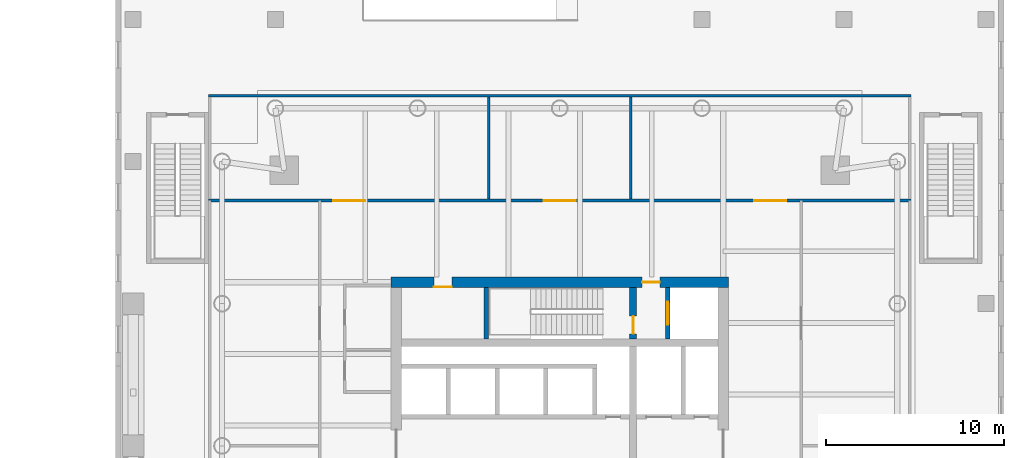
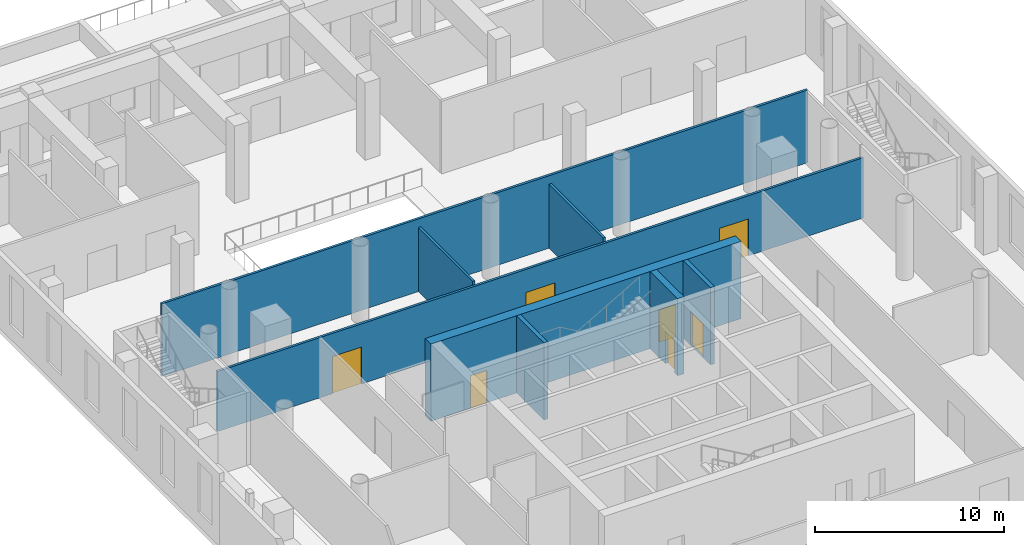
# One storey, part 17 of 26: 8 walls, 7 doors, 7 openings.
"""IFC4 building model written with IfcOpenShell, lengths in metres."""

from ifc_helpers import new_model, si_unit, direction, frame, frame_2d, origin, place, context, subcontext, project, spatial, rectangle, extrude, material, layer, layer_set, type_object, element, fill, save


model = new_model("IFC4")

# Units and contexts
model_context = context("Model", 3, precision=1e-05, world=origin(), true_north=direction((0.0, 1.0)))
body_context = subcontext(model_context, "Body", "Model", "MODEL_VIEW")
ifc_project = project(units=[si_unit("LENGTHUNIT", "METRE"), si_unit("AREAUNIT", "SQUARE_METRE"), si_unit("VOLUMEUNIT", "CUBIC_METRE"), si_unit("PLANEANGLEUNIT", "RADIAN"), si_unit("MASSUNIT", "GRAM", prefix="KILO")], contexts=[model_context])

# Site, building, storey
site_placement = place(None, origin())
site = spatial("IfcSite", under=ifc_project, at=site_placement, CompositionType="ELEMENT")
building_placement = place(site_placement, origin())
building = spatial("IfcBuilding", under=site, at=building_placement, Name="Ostroluk Exchange", CompositionType="ELEMENT")
storey_placement = place(building_placement, frame((0.0, 0.0, 6.0)))
storey = spatial("IfcBuildingStorey", under=building, at=storey_placement, Name="L01", CompositionType="ELEMENT", Elevation=6.0)

# Wall, opening, door
ifc_material_1 = material(Name="Concrete C50/60", Category="concrete")
ifc_layer_1 = layer(ifc_material_1, 0.39990234375)
ifc_layer_set_1 = layer_set([ifc_layer_1], Name="Core cross wall 400 C50/60")
wall_type_1 = type_object("IfcWallType", Name="Core cross wall 400 C50/60", PredefinedType="SHEAR", material=ifc_layer_set_1)
wall_1_placement = place(storey_placement, frame((121.1298828125, 52.0, 0.0), z_axis=(0.0, 0.0, 1.0), x_axis=(0.0, 1.0, 0.0)))
wall_1 = element("IfcWall", 1, at=wall_1_placement, inside=storey, type_object=wall_type_1, Name="T2 core wall YE3", PredefinedType="SHEAR", context=body_context, shape_type="SweptSolid", body=[
    extrude(rectangle(XDim=2.89990234375, YDim=0.39990234375, at=frame_2d((1.449951171875, 0.0))), origin(), (0.0, 0.0, 1.0), 5.0),
])
opening_1_placement = place(wall_1_placement, frame((0.300048828125, 0.0, 0.0)))
opening_1 = element("IfcOpeningElement", 2, at=opening_1_placement, cuts=wall_1, Name="Opening FD60", PredefinedType="OPENING", context=body_context, shape_type="SweptSolid", body=[
    extrude(rectangle(XDim=1.0, YDim=2.10009765625, at=frame_2d((0.5, 1.050048828125))), frame((0.0, 0.2099609375, 0.0), z_axis=(0.0, -1.0, 0.0), x_axis=(1.0, 0.0, 0.0)), (0.0, 0.0, 1.0), 0.419921875),
])
ifc_material_2 = material(Name="Steel", Category="steel")
door_type_1 = type_object("IfcDoorType", Name="Fire door EI 60 1000 x 2100", OperationType="SINGLE_SWING_LEFT", PredefinedType="DOOR", material=ifc_material_2)
door_1_placement = place(opening_1_placement, origin())
door_1 = element("IfcDoor", 3, at=door_1_placement, inside=storey, type_object=door_type_1, Name="Stair T2-S2 door", OperationType="SINGLE_SWING_LEFT", OverallHeight=2.10009765625, OverallWidth=1.0, PredefinedType="DOOR", context=body_context, shape_type="SweptSolid", body=[
    extrude(rectangle(XDim=1.0, YDim=2.10009765625, at=frame_2d((0.5, 1.050048828125))), frame((0.0, 0.02490234375, 0.0), z_axis=(0.0, -1.0, 0.0), x_axis=(1.0, 0.0, 0.0)), (0.0, 0.0, 1.0), 0.050048828125),
])
fill(opening_1, door_1)

# Wall
ifc_material_3 = material(Name="Concrete C40/50", Category="concrete")
ifc_layer_2 = layer(ifc_material_3, 0.25)
ifc_layer_set_2 = layer_set([ifc_layer_2], Name="Core shaft wall 250")
wall_type_2 = type_object("IfcWallType", Name="Core shaft wall 250", PredefinedType="SHEAR", material=ifc_layer_set_2)
wall_2_placement = place(storey_placement, frame((112.875, 52.0, 0.0), z_axis=(0.0, 0.0, 1.0), x_axis=(0.0, 1.0, 0.0)))
element("IfcWall", 4, at=wall_2_placement, inside=storey, type_object=wall_type_2, Name="Stair shaft wall", PredefinedType="SHEAR", context=body_context, shape_type="SweptSolid", body=[
    extrude(rectangle(XDim=2.89990234375, YDim=0.25, at=frame_2d((1.449951171875, 0.0))), origin(), (0.0, 0.0, 1.0), 5.0),
])

# Wall, opening, door
wall_3_placement = place(storey_placement, frame((123.074951171875, 52.0, 0.0), z_axis=(0.0, 0.0, 1.0), x_axis=(0.0, 1.0, 0.0)))
wall_3 = element("IfcWall", 5, at=wall_3_placement, inside=storey, type_object=wall_type_2, Name="Firefighting lift shaft wall", PredefinedType="SHEAR", context=body_context, shape_type="SweptSolid", body=[
    extrude(rectangle(XDim=2.89990234375, YDim=0.25, at=frame_2d((1.449951171875, 0.0))), origin(), (0.0, 0.0, 1.0), 5.0),
])
opening_2_placement = place(wall_3_placement, frame((0.800048828125, 0.0, 0.0)))
opening_2 = element("IfcOpeningElement", 6, at=opening_2_placement, cuts=wall_3, Name="Opening LD2", PredefinedType="OPENING", context=body_context, shape_type="SweptSolid", body=[
    extrude(rectangle(XDim=1.300048828125, YDim=2.199951171875, at=frame_2d((0.64990234375, 1.10009765625))), frame((0.0, 0.135009765625, 0.0), z_axis=(0.0, -1.0, 0.0), x_axis=(1.0, 0.0, 0.0)), (0.0, 0.0, 1.0), 0.27001953125),
])
ifc_material_4 = material(Name="Stainless steel", Category="steel")
door_type_2 = type_object("IfcDoorType", Name="Lift landing door E 60 1300 x 2200", OperationType="DOUBLE_DOOR_SLIDING", PredefinedType="DOOR", material=ifc_material_4)
door_2_placement = place(opening_2_placement, origin())
door_2 = element("IfcDoor", 7, at=door_2_placement, inside=storey, type_object=door_type_2, Name="Lift HF2 landing door", OperationType="DOUBLE_DOOR_SLIDING", OverallHeight=2.199951171875, OverallWidth=1.300048828125, PredefinedType="DOOR", context=body_context, shape_type="SweptSolid", body=[
    extrude(rectangle(XDim=1.300048828125, YDim=2.199951171875, at=frame_2d((0.64990234375, 1.10009765625))), frame((0.0, 0.02490234375, 0.0), z_axis=(0.0, -1.0, 0.0), x_axis=(1.0, 0.0, 0.0)), (0.0, 0.0, 1.0), 0.050048828125),
])
fill(opening_2, door_2)

# Wall, openings, doors
ifc_material_5 = material(Name="Concrete C50/60", Category="concrete")
ifc_layer_3 = layer(ifc_material_5, 0.60009765625)
ifc_layer_set_3 = layer_set([ifc_layer_3], Name="Core wall 600 C50/60")
wall_type_3 = type_object("IfcWallType", Name="Core wall 600 C50/60", PredefinedType="SHEAR", material=ifc_layer_set_3)
wall_4_placement = place(storey_placement, frame((107.5, 55.199951171875, 0.0), z_axis=(0.0, 0.0, 1.0), x_axis=(1.0, 0.0, 0.0)))
wall_4 = element("IfcWall", 8, at=wall_4_placement, inside=storey, type_object=wall_type_3, Name="T2 core wall N", PredefinedType="SHEAR", context=body_context, shape_type="SweptSolid", body=[
    extrude(rectangle(XDim=19.0, YDim=0.60009765625, at=frame_2d((9.5, 0.0))), origin(), (0.0, 0.0, 1.0), 5.0),
])
opening_3_placement = place(wall_4_placement, frame((14.139892578125, 0.0, 0.0)))
opening_3 = element("IfcOpeningElement", 9, at=opening_3_placement, cuts=wall_4, Name="Opening FD60", PredefinedType="OPENING", context=body_context, shape_type="SweptSolid", body=[
    extrude(rectangle(XDim=1.0, YDim=2.10009765625, at=frame_2d((0.5, 1.050048828125))), frame((0.0, 0.31005859375, 0.0), z_axis=(0.0, -1.0, 0.0), x_axis=(1.0, 0.0, 0.0)), (0.0, 0.0, 1.0), 0.6201171875),
])
opening_4_placement = place(wall_4_placement, frame((2.425048828125, 0.0, 0.0)))
opening_4 = element("IfcOpeningElement", 10, at=opening_4_placement, cuts=wall_4, Name="Opening FD60", PredefinedType="OPENING", context=body_context, shape_type="SweptSolid", body=[
    extrude(rectangle(XDim=1.0, YDim=2.10009765625, at=frame_2d((0.5, 1.050048828125))), frame((0.0, 0.31005859375, 0.0), z_axis=(0.0, -1.0, 0.0), x_axis=(1.0, 0.0, 0.0)), (0.0, 0.0, 1.0), 0.6201171875),
])
door_3_placement = place(opening_3_placement, origin())
door_3 = element("IfcDoor", 11, at=door_3_placement, inside=storey, type_object=door_type_1, Name="Firefighting lobby door", OperationType="SINGLE_SWING_RIGHT", OverallHeight=2.10009765625, OverallWidth=1.0, PredefinedType="DOOR", context=body_context, shape_type="SweptSolid", body=[
    extrude(rectangle(XDim=1.0, YDim=2.10009765625, at=frame_2d((0.5, 1.050048828125))), frame((0.0, 0.02490234375, 0.0), z_axis=(0.0, -1.0, 0.0), x_axis=(1.0, 0.0, 0.0)), (0.0, 0.0, 1.0), 0.050048828125),
])
fill(opening_3, door_3)
door_4_placement = place(opening_4_placement, origin())
door_4 = element("IfcDoor", 12, at=door_4_placement, inside=storey, type_object=door_type_1, Name="Electrical switch room door", OperationType="SINGLE_SWING_LEFT", OverallHeight=2.10009765625, OverallWidth=1.0, PredefinedType="DOOR", context=body_context, shape_type="SweptSolid", body=[
    extrude(rectangle(XDim=1.0, YDim=2.10009765625, at=frame_2d((0.5, 1.050048828125))), frame((0.0, -0.23974609375, 0.0), z_axis=(0.0, -1.0, 0.0), x_axis=(1.0, 0.0, 0.0)), (0.0, 0.0, 1.0), 0.050048828125),
])
fill(opening_4, door_4)

ifc_material_6 = material(Name="Gypsum plasterboard partition", Category="gypsum")
ifc_layer_4 = layer(ifc_material_6, 0.14990234375)
ifc_layer_set_4 = layer_set([ifc_layer_4], Name="Plasterboard partition 150")
wall_type_4 = type_object("IfcWallType", Name="Plasterboard partition 150", PredefinedType="PARTITIONING", material=ifc_layer_set_4)
wall_5_placement = place(storey_placement, frame((97.22509765625, 59.800048828125, 0.0), z_axis=(0.0, 0.0, 1.0), x_axis=(1.0, 0.0, 0.0)))
wall_5 = element("IfcWall", 13, at=wall_5_placement, inside=storey, type_object=wall_type_4, Name="Partition", PredefinedType="PARTITIONING", context=body_context, shape_type="SweptSolid", body=[
    extrude(rectangle(XDim=39.5498046875, YDim=0.14990234375, at=frame_2d((19.77490234375, 0.0))), origin(), (0.0, 0.0, 1.0), 3.89990234375),
])
opening_5_placement = place(wall_5_placement, frame((7.02490234375, 0.0, 0.0)))
opening_5 = element("IfcOpeningElement", 14, at=opening_5_placement, cuts=wall_5, Name="Opening D-04", PredefinedType="OPENING", context=body_context, shape_type="SweptSolid", body=[
    extrude(rectangle(XDim=1.800048828125, YDim=2.39990234375, at=frame_2d((0.89990234375, 1.199951171875))), frame((0.0, 0.0849609375, 0.0), z_axis=(0.0, -1.0, 0.0), x_axis=(1.0, 0.0, 0.0)), (0.0, 0.0, 1.0), 0.169921875),
])
opening_6_placement = place(wall_5_placement, frame((18.875, 0.0, 0.0)))
opening_6 = element("IfcOpeningElement", 15, at=opening_6_placement, cuts=wall_5, Name="Opening D-04", PredefinedType="OPENING", context=body_context, shape_type="SweptSolid", body=[
    extrude(rectangle(XDim=1.800048828125, YDim=2.39990234375, at=frame_2d((0.89990234375, 1.199951171875))), frame((0.0, 0.0849609375, 0.0), z_axis=(0.0, -1.0, 0.0), x_axis=(1.0, 0.0, 0.0)), (0.0, 0.0, 1.0), 0.169921875),
])
opening_7_placement = place(wall_5_placement, frame((30.72509765625, 0.0, 0.0)))
opening_7 = element("IfcOpeningElement", 16, at=opening_7_placement, cuts=wall_5, Name="Opening D-04", PredefinedType="OPENING", context=body_context, shape_type="SweptSolid", body=[
    extrude(rectangle(XDim=1.800048828125, YDim=2.39990234375, at=frame_2d((0.89990234375, 1.199951171875))), frame((0.0, 0.0849609375, 0.0), z_axis=(0.0, -1.0, 0.0), x_axis=(1.0, 0.0, 0.0)), (0.0, 0.0, 1.0), 0.169921875),
])
ifc_material_7 = material(Name="Timber", Category="wood")
door_type_3 = type_object("IfcDoorType", Name="Double door 1800 x 2400", OperationType="DOUBLE_DOOR_SINGLE_SWING", PredefinedType="DOOR", material=ifc_material_7)
door_5_placement = place(opening_5_placement, origin())
door_5 = element("IfcDoor", 17, at=door_5_placement, inside=storey, type_object=door_type_3, Name="Goods store door", OperationType="DOUBLE_DOOR_SINGLE_SWING", OverallHeight=2.39990234375, OverallWidth=1.800048828125, PredefinedType="DOOR", context=body_context, shape_type="SweptSolid", body=[
    extrude(rectangle(XDim=1.800048828125, YDim=2.39990234375, at=frame_2d((0.89990234375, 1.199951171875))), frame((0.0, 0.02490234375, 0.0), z_axis=(0.0, -1.0, 0.0), x_axis=(1.0, 0.0, 0.0)), (0.0, 0.0, 1.0), 0.050048828125),
])
fill(opening_5, door_5)
door_6_placement = place(opening_6_placement, origin())
door_6 = element("IfcDoor", 18, at=door_6_placement, inside=storey, type_object=door_type_3, Name="Goods store door", OperationType="DOUBLE_DOOR_SINGLE_SWING", OverallHeight=2.39990234375, OverallWidth=1.800048828125, PredefinedType="DOOR", context=body_context, shape_type="SweptSolid", body=[
    extrude(rectangle(XDim=1.800048828125, YDim=2.39990234375, at=frame_2d((0.89990234375, 1.199951171875))), frame((0.0, 0.02490234375, 0.0), z_axis=(0.0, -1.0, 0.0), x_axis=(1.0, 0.0, 0.0)), (0.0, 0.0, 1.0), 0.050048828125),
])
fill(opening_6, door_6)
door_7_placement = place(opening_7_placement, origin())
door_7 = element("IfcDoor", 19, at=door_7_placement, inside=storey, type_object=door_type_3, Name="Goods store door", OperationType="DOUBLE_DOOR_SINGLE_SWING", OverallHeight=2.39990234375, OverallWidth=1.800048828125, PredefinedType="DOOR", context=body_context, shape_type="SweptSolid", body=[
    extrude(rectangle(XDim=1.800048828125, YDim=2.39990234375, at=frame_2d((0.89990234375, 1.199951171875))), frame((0.0, 0.02490234375, 0.0), z_axis=(0.0, -1.0, 0.0), x_axis=(1.0, 0.0, 0.0)), (0.0, 0.0, 1.0), 0.050048828125),
])
fill(opening_7, door_7)

# Walls
wall_6_placement = place(storey_placement, frame((97.22509765625, 65.699951171875, 0.0), z_axis=(0.0, 0.0, 1.0), x_axis=(1.0, 0.0, 0.0)))
element("IfcWall", 20, at=wall_6_placement, inside=storey, type_object=wall_type_4, Name="Partition", PredefinedType="PARTITIONING", context=body_context, shape_type="SweptSolid", body=[
    extrude(rectangle(XDim=39.5498046875, YDim=0.14990234375, at=frame_2d((19.77490234375, 0.0))), origin(), (0.0, 0.0, 1.0), 4.699951171875),
])
for number, where, z_axis, x_axis, name in (
    (21, (113.0, 59.875, 0.0), (0.0, 0.0, 1.0), (0.0, 1.0, 0.0), "Partition"),
    (22, (121.0, 59.875, 0.0), (0.0, 0.0, 1.0), (0.0, 1.0, 0.0), "Partition"),
):
    element("IfcWall", number, at=place(storey_placement, frame(where, z_axis=z_axis, x_axis=x_axis)), inside=storey, type_object=wall_type_4, Name=name, PredefinedType="PARTITIONING", context=body_context, shape_type="SweptSolid", body=[
        extrude(rectangle(XDim=5.75, YDim=0.14990234375, at=frame_2d((2.875, 0.0))), origin(), (0.0, 0.0, 1.0), 4.14990234375),
    ])

save(model, "model.ifc")
